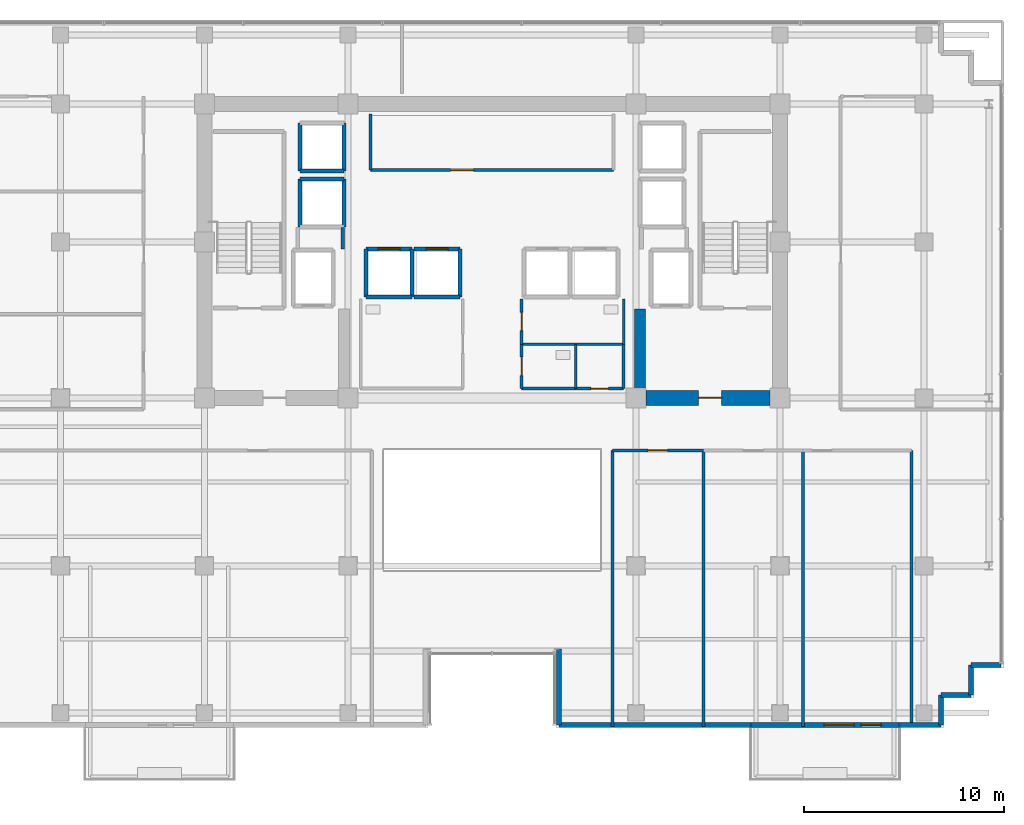
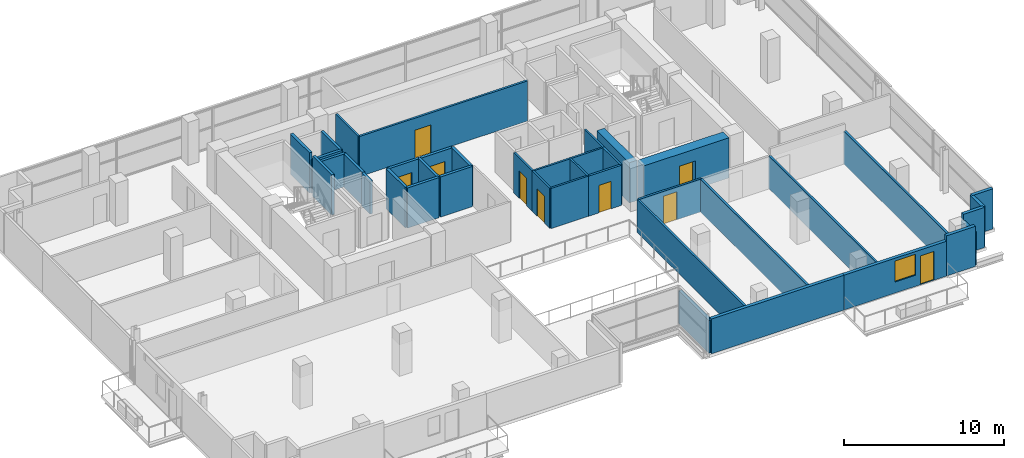
# One storey, part 21 of 28: 39 walls, 9 doors, 1 window, 10 openings.
"""IFC4 building model written with IfcOpenShell, lengths in metres."""

import ifcopenshell
import ifcopenshell.guid

model = None  # the IFC model being written
_history = None  # IfcOwnerHistory: only IFC2X3 demands one
_inside = {}  # id of a spatial element -> (the spatial element, [elements in it])
_under = {}  # id of a project, library or spatial element -> (it, [spatial elements below it])
_declared = {}  # id of a project -> (the project, [libraries it declares])
_typed = {}  # id of a type object -> (the type object, [elements of that type])
_made_of = {}  # id of a material, layer set ... -> (it, [elements and type objects made of it])


def new_model(schema):
    """Start an empty IFC model of exactly this schema.

    Asked for "IFC4X3", IfcOpenShell would pick the latest addendum, in which some entities
    have other attributes; the version numbers below select the first issue.
    IFC2X3 requires an IfcOwnerHistory on every rooted entity: one is made here for all.
    """
    global model, _history
    if schema == "IFC4X3":
        model = ifcopenshell.file(schema_version=(4, 3, 0, 0))
    else:
        model = ifcopenshell.file(schema=schema)
    _inside.clear()
    _under.clear()
    _declared.clear()
    _typed.clear()
    _made_of.clear()
    _history = None
    if model.schema == "IFC2X3":
        org = make("IfcOrganization", Name="unknown")
        user = make(
            "IfcPersonAndOrganization",
            ThePerson=make("IfcPerson", FamilyName="unknown"),
            TheOrganization=org,
        )
        app = make(
            "IfcApplication",
            ApplicationDeveloper=org,
            Version="unknown",
            ApplicationFullName="unknown",
            ApplicationIdentifier="unknown",
        )
        _history = make(
            "IfcOwnerHistory",
            OwningUser=user,
            OwningApplication=app,
            ChangeAction="ADDED",
            CreationDate=0,
        )
    return model


def make(cls, **values):
    """One entity of the class cls with the attributes given. An attribute that is None is left unset."""
    return model.create_entity(
        cls, **{name: value for name, value in values.items() if value is not None}
    )


def rooted(cls, **values):
    """An entity with a GlobalId (a new one), such as an element, a storey or a relation."""
    return make(cls, GlobalId=ifcopenshell.guid.new(), OwnerHistory=_history, **values)


def si_unit(unit_type, name, prefix=None):
    """IfcSIUnit, for example si_unit("LENGTHUNIT", "METRE", prefix="MILLI")."""
    return make("IfcSIUnit", UnitType=unit_type, Prefix=prefix, Name=name)


def assignment(units):
    """IfcUnitAssignment: the units of a project."""
    return None if units is None else make("IfcUnitAssignment", Units=units)


def point(xyz):
    """IfcCartesianPoint."""
    return None if xyz is None else make("IfcCartesianPoint", Coordinates=xyz)


def direction(xyz):
    """IfcDirection."""
    return None if xyz is None else make("IfcDirection", DirectionRatios=xyz)


def frame(location, z_axis=None, x_axis=None):
    """IfcAxis2Placement3D, a coordinate frame: its origin and axes. An axis left out is left unset."""
    return make(
        "IfcAxis2Placement3D",
        Location=point(location),
        Axis=direction(z_axis),
        RefDirection=direction(x_axis),
    )


def frame_2d(location, x_axis=None):
    """IfcAxis2Placement2D, a coordinate frame in the plane: its origin and x axis."""
    return make(
        "IfcAxis2Placement2D", Location=point(location), RefDirection=direction(x_axis)
    )


def origin():
    """The frame at (0, 0, 0) with its axes left unset."""
    return frame((0.0, 0.0, 0.0))


def place(relative_to, where):
    """IfcLocalPlacement: puts the frame where relative to a parent placement (None: the world)."""
    return make(
        "IfcLocalPlacement", PlacementRelTo=relative_to, RelativePlacement=where
    )


def context(
    kind, dimensions, precision=None, world=None, true_north=None, identifier=None
):
    """IfcGeometricRepresentationContext, for example the 3D "Model" context."""
    return make(
        "IfcGeometricRepresentationContext",
        ContextIdentifier=identifier,
        ContextType=kind,
        CoordinateSpaceDimension=dimensions,
        Precision=precision,
        WorldCoordinateSystem=world,
        TrueNorth=true_north,
    )


def subcontext(parent, identifier, kind, view, scale=None):
    """IfcGeometricRepresentationSubContext, for example "Body" below "Model"."""
    return make(
        "IfcGeometricRepresentationSubContext",
        ContextIdentifier=identifier,
        ContextType=kind,
        ParentContext=parent,
        TargetScale=scale,
        TargetView=view,
    )


def project(units=None, contexts=None):
    """IfcProject with its units and contexts."""
    return rooted(
        "IfcProject",
        Name="project",
        RepresentationContexts=contexts,
        UnitsInContext=assignment(units),
    )


def spatial(cls, under=None, at=None, **own):
    """A site, building, storey or space (cls), placed at a placement, below another one or the project."""
    s = rooted(cls, ObjectPlacement=at, **own)
    if under is not None:
        _under.setdefault(under.id(), (under, []))[1].append(s)
    return s


def profile(cls, at=None, kind="AREA", **sizes):
    """A parametric profile (cls). Its sizes go by their IFC names, for example OverallWidth=200.0."""
    return make(cls, ProfileType=kind, Position=at, **sizes)


def rectangle(**sizes):
    """IfcRectangleProfileDef."""
    return profile("IfcRectangleProfileDef", **sizes)


def extrude(swept, where, along, depth):
    """IfcExtrudedAreaSolid: the profile swept, set in the frame where, extruded along a direction by depth."""
    return make(
        "IfcExtrudedAreaSolid",
        SweptArea=swept,
        Position=where,
        ExtrudedDirection=direction(along),
        Depth=depth,
    )


def shape(context_of_items, identifier, shape_type, items):
    """IfcShapeRepresentation: the items that make up one representation, for example the "Body"."""
    return make(
        "IfcShapeRepresentation",
        ContextOfItems=context_of_items,
        RepresentationIdentifier=identifier,
        RepresentationType=shape_type,
        Items=items,
    )


def source(mapping_origin, context_of_items, identifier, shape_type, items):
    """IfcRepresentationMap: a shape defined once, which mapped items show again and again."""
    return make(
        "IfcRepresentationMap",
        MappingOrigin=mapping_origin,
        MappedRepresentation=shape(context_of_items, identifier, shape_type, items),
    )


def transform(
    local_origin,
    x_axis=None,
    y_axis=None,
    z_axis=None,
    scale=None,
    scale2=None,
    scale3=None,
    uniform=True,
):
    """IfcCartesianTransformationOperator3D, or its non-uniform kind. x_axis, y_axis, z_axis: its Axis1, 2, 3."""
    if uniform:
        return make(
            "IfcCartesianTransformationOperator3D",
            Axis1=direction(x_axis),
            Axis2=direction(y_axis),
            LocalOrigin=point(local_origin),
            Scale=scale,
            Axis3=direction(z_axis),
        )
    return make(
        "IfcCartesianTransformationOperator3DnonUniform",
        Axis1=direction(x_axis),
        Axis2=direction(y_axis),
        LocalOrigin=point(local_origin),
        Scale=scale,
        Axis3=direction(z_axis),
        Scale2=scale2,
        Scale3=scale3,
    )


def mapped(mapping_source, mapping_target):
    """IfcMappedItem: shows the shape of a source again, moved by a transform."""
    return make(
        "IfcMappedItem", MappingSource=mapping_source, MappingTarget=mapping_target
    )


def material(Name=None, Category=None):
    """IfcMaterial."""
    return make("IfcMaterial", Name=Name, Category=Category)


def layer(
    of_material, thickness, ventilated=None, Name=None, Category=None, Priority=None
):
    """IfcMaterialLayer: one layer of a wall or slab, of a material (None: an air gap)."""
    return make(
        "IfcMaterialLayer",
        Material=of_material,
        LayerThickness=thickness,
        IsVentilated=ventilated,
        Name=Name,
        Category=Category,
        Priority=Priority,
    )


def layer_set(layers, Name=None):
    """IfcMaterialLayerSet."""
    return make("IfcMaterialLayerSet", MaterialLayers=layers, LayerSetName=Name)


def made_of(thing, what):
    """Note that an element or type object is made of a material, layer set ...; save() writes the relation."""
    if what is not None:
        _made_of.setdefault(what.id(), (what, []))[1].append(thing)
    return thing


def type_object(cls, material=None, **own):
    """A type object (cls), such as IfcWallType, which elements share."""
    return made_of(rooted(cls, **own), material)


def element(
    cls,
    number,
    at=None,
    inside=None,
    cuts=None,
    type_object=None,
    material=None,
    context=None,
    identifier="Body",
    shape_type=None,
    held_by="IfcProductDefinitionShape",
    body=None,
    shapes=None,
    **own,
):
    """One element of the class cls, such as IfcWall. Its Tag is "e" and its number.

    at: its placement. inside: the storey or other place that contains it. cuts: it is an
    opening in that element (IfcRelVoidsElement). A single representation is given by context,
    identifier, shape_type and body (its items); several are given by shapes. held_by: the class
    of the entity that holds the representations. save() writes the other relations.
    """
    e = rooted(cls, Tag="e%d" % number, ObjectPlacement=at, **own)
    if body is not None:
        shapes = [shape(context, identifier, shape_type, body)]
    if shapes is not None:
        e.Representation = make(held_by, Representations=shapes)
    if inside is not None:
        _inside.setdefault(inside.id(), (inside, []))[1].append(e)
    if cuts is not None:
        rooted(
            "IfcRelVoidsElement", RelatingBuildingElement=cuts, RelatedOpeningElement=e
        )
    if type_object is not None:
        _typed.setdefault(type_object.id(), (type_object, []))[1].append(e)
    return made_of(e, material)


def fill(opening, filler):
    """IfcRelFillsElement: the door or window that sits in an opening."""
    return rooted(
        "IfcRelFillsElement",
        RelatingOpeningElement=opening,
        RelatedBuildingElement=filler,
    )


def aggregate(whole, parts):
    """IfcRelAggregates: a whole, such as a stair, and the parts it consists of."""
    return rooted("IfcRelAggregates", RelatingObject=whole, RelatedObjects=parts)


def save(model, path):
    """Write the relations noted so far, then the file.

    IfcRelAggregates (storeys below a building ...), IfcRelContainedInSpatialStructure (elements
    in a storey), IfcRelDefinesByType, IfcRelAssociatesMaterial and IfcRelDeclares: one each for
    every whole, place, type object, material and project.
    """
    for whole, parts in _under.values():
        aggregate(whole, parts)
    for where, things in _inside.values():
        rooted(
            "IfcRelContainedInSpatialStructure",
            RelatedElements=things,
            RelatingStructure=where,
        )
    for kind, things in _typed.values():
        rooted("IfcRelDefinesByType", RelatedObjects=things, RelatingType=kind)
    for what, things in _made_of.values():
        rooted("IfcRelAssociatesMaterial", RelatedObjects=things, RelatingMaterial=what)
    for by, libraries in _declared.values():
        rooted("IfcRelDeclares", RelatingContext=by, RelatedDefinitions=libraries)
    model.write(path)


model = new_model("IFC4")

# Units and contexts
model_context = context("Model", 3, precision=1e-05, world=origin(), true_north=direction((0.0, 1.0)))
body_context = subcontext(model_context, "Body", "Model", "MODEL_VIEW")
ifc_project = project(units=[si_unit("LENGTHUNIT", "METRE"), si_unit("AREAUNIT", "SQUARE_METRE"), si_unit("VOLUMEUNIT", "CUBIC_METRE"), si_unit("PLANEANGLEUNIT", "RADIAN"), si_unit("MASSUNIT", "GRAM", prefix="KILO")], contexts=[model_context])

# Site, building, storey
site_placement = place(None, origin())
site = spatial("IfcSite", under=ifc_project, at=site_placement, CompositionType="ELEMENT")
building_placement = place(site_placement, origin())
building = spatial("IfcBuilding", under=site, at=building_placement, Name="Zarnakvel Exchange Tower", CompositionType="ELEMENT")
storey_placement = place(building_placement, frame((0.0, 0.0, 103.300048828125)))
storey = spatial("IfcBuildingStorey", under=building, at=storey_placement, Name="L28", CompositionType="ELEMENT", Elevation=103.300048828125)

# Wall, opening, door
ifc_material_1 = material(Name="Concrete C60/75", Category="concrete")
ifc_layer_1 = layer(ifc_material_1, 0.75)
ifc_layer_set_1 = layer_set([ifc_layer_1], Name="Concrete C60/75")
wall_type_1 = type_object("IfcWallType", Name="CW-C3", PredefinedType="SHEAR", material=ifc_layer_set_1)
wall_1_placement = place(storey_placement, frame((13.89990234375, -1.199951171875, 0.0), z_axis=(0.0, 0.0, 1.0), x_axis=(-1.0, 0.0, 0.0)))
wall_1 = element("IfcWall", 1, at=wall_1_placement, inside=storey, type_object=wall_type_1, Name="L28 Rear Core Shear Wall SE (CW-C3)", PredefinedType="SHEAR", context=body_context, shape_type="SweptSolid", body=[
    extrude(rectangle(XDim=6.199951171875, YDim=0.75, at=frame_2d((3.10009765625, 0.0))), origin(), (0.0, 0.0, 1.0), 3.074951171875),
])
opening_1_placement = place(wall_1_placement, frame((2.425048828125, 0.0, 0.0)))
opening_1 = element("IfcOpeningElement", 2, at=opening_1_placement, cuts=wall_1, Name="Opening D-L28-04", PredefinedType="OPENING", context=body_context, shape_type="SweptSolid", body=[
    extrude(rectangle(XDim=1.14990234375, YDim=2.14990234375, at=frame_2d((0.574951171875, 1.074951171875))), frame((0.0, 0.385009765625, 0.0), z_axis=(0.0, -1.0, 0.0), x_axis=(1.0, 0.0, 0.0)), (0.0, 0.0, 1.0), 0.77001953125),
])
ifc_material_2 = material(Name="Painted Galvanised Steel S355", Category="steel")
door_type_1 = type_object("IfcDoorType", Name="DT-04", OperationType="NOTDEFINED", PredefinedType="DOOR", material=ifc_material_2)
shared_shape_1 = source(origin(), body_context, "Body", "SweptSolid", [
    extrude(rectangle(XDim=1.14990234375, YDim=2.14990234375, at=frame_2d((0.574951171875, 1.074951171875))), frame((0.0, 0.02490234375, 0.0), z_axis=(0.0, -1.0, 0.0), x_axis=(1.0, 0.0, 0.0)), (0.0, 0.0, 1.0), 0.050048828125),
])
door_1_placement = place(opening_1_placement, origin())
door_1 = element("IfcDoor", 3, at=door_1_placement, inside=storey, type_object=door_type_1, Name="L28 Firefighting Lobby East Door D-L28-04", OperationType="SINGLE_SWING_LEFT", OverallHeight=2.14990234375, OverallWidth=1.14990234375, PredefinedType="DOOR", context=body_context, shape_type="MappedRepresentation", body=[
    mapped(shared_shape_1, transform((0.0, 0.0, 0.0), x_axis=(1.0, 0.0, 0.0), y_axis=(0.0, 1.0, 0.0), z_axis=(0.0, 0.0, 1.0), scale=1.0)),
])
fill(opening_1, door_1)

# Wall
ifc_layer_2 = layer(ifc_material_1, 0.550048828125)
ifc_layer_set_2 = layer_set([ifc_layer_2], Name="Concrete C60/75")
wall_type_2 = type_object("IfcWallType", Name="CW-C4", PredefinedType="SHEAR", material=ifc_layer_set_2)
wall_2_placement = place(storey_placement, frame((7.39990234375, -0.824951171875, 0.0), z_axis=(0.0, 0.0, 1.0), x_axis=(0.0, 1.0, 0.0)))
element("IfcWall", 4, at=wall_2_placement, inside=storey, type_object=wall_type_2, Name="L28 Rear Core Shear Wall IE (CW-C4)", PredefinedType="SHEAR", context=body_context, shape_type="SweptSolid", body=[
    extrude(rectangle(XDim=4.074951171875, YDim=0.550048828125, at=frame_2d((2.03759765625, 0.0))), origin(), (0.0, 0.0, 1.0), 3.074951171875),
])

# Wall, openings, door, window
ifc_material_3 = material(Name="Precast concrete C40/50", Category="concrete")
ifc_layer_3 = layer(ifc_material_3, 0.239990234375)
ifc_layer_set_3 = layer_set([ifc_layer_3], Name="Precast concrete C40/50")
wall_type_3 = type_object("IfcWallType", Name="EW-02", PredefinedType="SOLIDWALL", material=ifc_layer_set_3)
wall_3_placement = place(storey_placement, frame((20.35009765625, -17.56005859375, 0.0), z_axis=(0.0, 0.0, 1.0), x_axis=(-1.0, 0.0, 0.0)))
wall_3 = element("IfcWall", 5, at=wall_3_placement, inside=storey, type_object=wall_type_3, Name="L28 Exterior Precast Spandrel Wall EW-BAL-L28-SE (EW-02)", PredefinedType="SOLIDWALL", context=body_context, shape_type="SweptSolid", body=[
    extrude(rectangle(XDim=7.400146484375, YDim=0.239990234375, at=frame_2d((3.7001953125, 0.0))), origin(), (0.0, 0.0, 1.0), 2.6650390625),
])
opening_2_placement = place(wall_3_placement, frame((0.887939453125, 0.0, 0.0)))
opening_2 = element("IfcOpeningElement", 6, at=opening_2_placement, cuts=wall_3, Name="Opening BD-L28-02", PredefinedType="OPENING", context=body_context, shape_type="SweptSolid", body=[
    extrude(rectangle(XDim=1.0, YDim=2.199951171875, at=frame_2d((0.5, 1.10009765625))), frame((0.0, 0.1298828125, 0.0), z_axis=(0.0, -1.0, 0.0), x_axis=(1.0, 0.0, 0.0)), (0.0, 0.0, 1.0), 0.260009765625),
])
opening_3_placement = place(wall_3_placement, frame((2.238037109375, 0.0, 0.85009765625)))
opening_3 = element("IfcOpeningElement", 7, at=opening_3_placement, cuts=wall_3, Name="Opening WN-03", PredefinedType="OPENING", context=body_context, shape_type="SweptSolid", body=[
    extrude(rectangle(XDim=1.5, YDim=1.60009765625, at=frame_2d((0.75, 0.800048828125))), frame((0.0, 0.1298828125, 0.0), z_axis=(0.0, -1.0, 0.0), x_axis=(1.0, 0.0, 0.0)), (0.0, 0.0, 1.0), 0.260009765625),
])
ifc_material_4 = material(Name="Architectural Bronze Anodised Aluminium", Category="aluminium")
door_type_2 = type_object("IfcDoorType", Name="DT-09", OperationType="NOTDEFINED", PredefinedType="DOOR", material=ifc_material_4)
shared_shape_2 = source(origin(), body_context, "Body", "SweptSolid", [
    extrude(rectangle(XDim=1.0, YDim=2.199951171875, at=frame_2d((0.5, 1.10009765625))), frame((0.0, 0.02490234375, 0.0), z_axis=(0.0, -1.0, 0.0), x_axis=(1.0, 0.0, 0.0)), (0.0, 0.0, 1.0), 0.050048828125),
])
door_2_placement = place(opening_2_placement, origin())
door_2 = element("IfcDoor", 8, at=door_2_placement, inside=storey, type_object=door_type_2, Name="L28 Planted Loggia Balcony Door BD-L28-02", OperationType="SINGLE_SWING_LEFT", OverallHeight=2.199951171875, OverallWidth=1.0, PredefinedType="DOOR", context=body_context, shape_type="MappedRepresentation", body=[
    mapped(shared_shape_2, transform((0.0, 0.0, 0.0), x_axis=(1.0, 0.0, 0.0), y_axis=(0.0, 1.0, 0.0), z_axis=(0.0, 0.0, 1.0), scale=1.0)),
])
fill(opening_2, door_2)
ifc_material_5 = material(Name="Double Low-E Laminated Vision Glass", Category="glass")
window_type = type_object("IfcWindowType", Name="WN-03", PartitioningType="SINGLE_PANEL", PredefinedType="WINDOW", material=ifc_material_5)
shared_shape_3 = source(origin(), body_context, "Body", "SweptSolid", [
    extrude(rectangle(XDim=1.5, YDim=1.60009765625, at=frame_2d((0.75, 0.800048828125))), frame((0.0, 0.030029296875, 0.0), z_axis=(0.0, -1.0, 0.0), x_axis=(1.0, 0.0, 0.0)), (0.0, 0.0, 1.0), 0.06005859375),
])
window_placement = place(opening_3_placement, origin())
window = element("IfcWindow", 9, at=window_placement, inside=storey, type_object=window_type, Name="L28 Loggia Daylight Window (WN-03)", OverallHeight=1.60009765625, OverallWidth=1.5, PartitioningType="SINGLE_PANEL", PredefinedType="WINDOW", context=body_context, shape_type="MappedRepresentation", body=[
    mapped(shared_shape_3, transform((0.0, 0.0, 0.0), x_axis=(1.0, 0.0, 0.0), y_axis=(0.0, 1.0, 0.0), z_axis=(0.0, 0.0, 1.0), scale=1.0)),
])
fill(opening_3, window)

# Walls
for number, where, z_axis, x_axis, name in (
    (10, (23.9599609375, -14.56005859375, 0.0), (0.0, 0.0, 1.0), (1.0, 0.0, 0.0), "L28 Exterior Precast Spandrel Wall EWC-L28-11 (EW-02)"),
    (11, (23.9599609375, -16.06005859375, 0.0), (0.0, 0.0, 1.0), (0.0, 1.0, 0.0), "L28 Exterior Precast Spandrel Wall EWC-L28-12 (EW-02)"),
    (12, (22.4599609375, -16.06005859375, 0.0), (0.0, 0.0, 1.0), (1.0, 0.0, 0.0), "L28 Exterior Precast Spandrel Wall EWC-L28-13 (EW-02)"),
):
    element("IfcWall", number, at=place(storey_placement, frame(where, z_axis=z_axis, x_axis=x_axis)), inside=storey, type_object=wall_type_3, Name=name, PredefinedType="SOLIDWALL", context=body_context, shape_type="SweptSolid", body=[
        extrude(rectangle(XDim=1.5, YDim=0.239990234375, at=frame_2d((0.75, 0.0))), origin(), (0.0, 0.0, 1.0), 3.074951171875),
    ])
wall_4_placement = place(storey_placement, frame((22.4599609375, -17.56005859375, 0.0), z_axis=(0.0, 0.0, 1.0), x_axis=(0.0, 1.0, 0.0)))
element("IfcWall", 13, at=wall_4_placement, inside=storey, type_object=wall_type_3, Name="L28 Exterior Precast Spandrel Wall EWC-L28-14 (EW-02)", PredefinedType="SOLIDWALL", context=body_context, shape_type="SweptSolid", body=[
    extrude(rectangle(XDim=1.5, YDim=0.239990234375, at=frame_2d((0.75, 0.0))), origin(), (0.0, 0.0, 1.0), 2.56494140625),
])
wall_5_placement = place(storey_placement, frame((20.35009765625, -17.56005859375, 0.0), z_axis=(0.0, 0.0, 1.0), x_axis=(1.0, 0.0, 0.0)))
element("IfcWall", 14, at=wall_5_placement, inside=storey, type_object=wall_type_3, Name="L28 Exterior Precast Spandrel Wall EWC-L28-15 (EW-02)", PredefinedType="SOLIDWALL", context=body_context, shape_type="SweptSolid", body=[
    extrude(rectangle(XDim=2.10986328125, YDim=0.239990234375, at=frame_2d((1.054931640625, 0.0))), origin(), (0.0, 0.0, 1.0), 3.074951171875),
])
wall_6_placement = place(storey_placement, frame((3.340087890625, -17.56005859375, 0.0), z_axis=(0.0, 0.0, 1.0), x_axis=(1.0, 0.0, 0.0)))
element("IfcWall", 15, at=wall_6_placement, inside=storey, type_object=wall_type_3, Name="L28 Exterior Precast Spandrel Wall EWC-L28-16 (EW-02)", PredefinedType="SOLIDWALL", context=body_context, shape_type="SweptSolid", body=[
    extrude(rectangle(XDim=9.60986328125, YDim=0.239990234375, at=frame_2d((4.804931640625, 0.0))), origin(), (0.0, 0.0, 1.0), 2.6650390625),
])
wall_7_placement = place(storey_placement, frame((3.340087890625, -13.760009765625, 0.0), z_axis=(0.0, 0.0, 1.0), x_axis=(0.0, -1.0, 0.0)))
element("IfcWall", 16, at=wall_7_placement, inside=storey, type_object=wall_type_3, Name="L28 Exterior Precast Spandrel Wall EWC-L28-17 (EW-02)", PredefinedType="SOLIDWALL", context=body_context, shape_type="SweptSolid", body=[
    extrude(rectangle(XDim=3.800048828125, YDim=0.239990234375, at=frame_2d((1.89990234375, 0.0))), origin(), (0.0, 0.0, 1.0), 2.514892578125),
])

# Wall, opening, door
ifc_material_6 = material(Name="Fire-Rated Gypsum Stud Partition", Category="gypsum")
ifc_layer_4 = layer(ifc_material_6, 0.14990234375)
ifc_layer_set_4 = layer_set([ifc_layer_4], Name="Fire-Rated Gypsum Stud Partition")
wall_type_4 = type_object("IfcWallType", Name="PT-01", PredefinedType="PARTITIONING", material=ifc_layer_set_4)
wall_8_placement = place(storey_placement, frame((6.080078125, 10.199951171875, 0.0), z_axis=(0.0, 0.0, 1.0), x_axis=(-1.0, 0.0, 0.0)))
wall_8 = element("IfcWall", 17, at=wall_8_placement, inside=storey, type_object=wall_type_4, Name="L28 Partition Wall PWALL-L28-011 (PT-01)", PredefinedType="PARTITIONING", context=body_context, shape_type="SweptSolid", body=[
    extrude(rectangle(XDim=12.16015625, YDim=0.14990234375, at=frame_2d((6.080078125, 0.0))), origin(), (0.0, 0.0, 1.0), 3.074951171875),
])
opening_4_placement = place(wall_8_placement, frame((7.0048828125, 0.0, 0.0)))
opening_4 = element("IfcOpeningElement", 18, at=opening_4_placement, cuts=wall_8, Name="Opening D-L28-05", PredefinedType="OPENING", context=body_context, shape_type="SweptSolid", body=[
    extrude(rectangle(XDim=1.14990234375, YDim=2.14990234375, at=frame_2d((0.574951171875, 1.074951171875))), frame((0.0, 0.0849609375, 0.0), z_axis=(0.0, -1.0, 0.0), x_axis=(1.0, 0.0, 0.0)), (0.0, 0.0, 1.0), 0.169921875),
])
door_3_placement = place(opening_4_placement, origin())
door_3 = element("IfcDoor", 19, at=door_3_placement, inside=storey, type_object=door_type_1, Name="L28 Market Data Archive Suite Door D-L28-05", OperationType="SINGLE_SWING_RIGHT", OverallHeight=2.14990234375, OverallWidth=1.14990234375, PredefinedType="DOOR", context=body_context, shape_type="MappedRepresentation", body=[
    mapped(shared_shape_1, transform((0.0, 0.0, 0.0), x_axis=(1.0, 0.0, 0.0), y_axis=(0.0, 1.0, 0.0), z_axis=(0.0, 0.0, 1.0), scale=1.0)),
])
fill(opening_4, door_3)

# Wall
wall_9_placement = place(storey_placement, frame((-6.080078125, 10.199951171875, 0.0), z_axis=(0.0, 0.0, 1.0), x_axis=(0.0, 1.0, 0.0)))
element("IfcWall", 20, at=wall_9_placement, inside=storey, type_object=wall_type_4, Name="L28 Partition Wall PWALL-L28-012 (PT-01)", PredefinedType="PARTITIONING", context=body_context, shape_type="SweptSolid", body=[
    extrude(rectangle(XDim=2.800048828125, YDim=0.14990234375, at=frame_2d((1.39990234375, 0.0))), origin(), (0.0, 0.0, 1.0), 3.074951171875),
])

# Wall, opening, door
wall_10_placement = place(storey_placement, frame((6.580078125, -0.72998046875, 0.0), z_axis=(0.0, 0.0, 1.0), x_axis=(-1.0, 0.0, 0.0)))
wall_10 = element("IfcWall", 21, at=wall_10_placement, inside=storey, type_object=wall_type_4, Name="L28 Partition Wall PWALL-L28-023 (PT-01)", PredefinedType="PARTITIONING", context=body_context, shape_type="SweptSolid", body=[
    extrude(rectangle(XDim=2.400146484375, YDim=0.14990234375, at=frame_2d((1.2001953125, 0.0))), origin(), (0.0, 0.0, 1.0), 3.074951171875),
])
opening_5_placement = place(wall_10_placement, frame((0.760009765625, 0.0, 0.0)))
opening_5 = element("IfcOpeningElement", 22, at=opening_5_placement, cuts=wall_10, Name="Opening D-L28-09", PredefinedType="OPENING", context=body_context, shape_type="SweptSolid", body=[
    extrude(rectangle(XDim=0.8798828125, YDim=2.10009765625, at=frame_2d((0.43994140625, 1.050048828125))), frame((0.0, 0.0849609375, 0.0), z_axis=(0.0, -1.0, 0.0), x_axis=(1.0, 0.0, 0.0)), (0.0, 0.0, 1.0), 0.169921875),
])
door_type_3 = type_object("IfcDoorType", Name="DT-08", OperationType="NOTDEFINED", PredefinedType="DOOR", material=ifc_material_2)
shared_shape_4 = source(origin(), body_context, "Body", "SweptSolid", [
    extrude(rectangle(XDim=0.8798828125, YDim=2.10009765625, at=frame_2d((0.43994140625, 1.050048828125))), frame((0.0, 0.02490234375, 0.0), z_axis=(0.0, -1.0, 0.0), x_axis=(1.0, 0.0, 0.0)), (0.0, 0.0, 1.0), 0.050048828125),
])
door_4_placement = place(opening_5_placement, origin())
door_4 = element("IfcDoor", 23, at=door_4_placement, inside=storey, type_object=door_type_3, Name="L28 Cleaners Store Door D-L28-09", OperationType="SINGLE_SWING_RIGHT", OverallHeight=2.10009765625, OverallWidth=0.8798828125, PredefinedType="DOOR", context=body_context, shape_type="MappedRepresentation", body=[
    mapped(shared_shape_4, transform((0.0, 0.0, 0.0), x_axis=(1.0, 0.0, 0.0), y_axis=(0.0, 1.0, 0.0), z_axis=(0.0, 0.0, 1.0), scale=1.0)),
])
fill(opening_5, door_4)

# Wall
wall_11_placement = place(storey_placement, frame((6.580078125, 1.47998046875, 0.0), z_axis=(0.0, 0.0, 1.0), x_axis=(0.0, -1.0, 0.0)))
element("IfcWall", 24, at=wall_11_placement, inside=storey, type_object=wall_type_4, Name="L28 Partition Wall PWALL-L28-024 (PT-01)", PredefinedType="PARTITIONING", context=body_context, shape_type="SweptSolid", body=[
    extrude(rectangle(XDim=2.2099609375, YDim=0.14990234375, at=frame_2d((1.10498046875, 0.0))), origin(), (0.0, 0.0, 1.0), 3.074951171875),
])

# Wall, opening, door
wall_12_placement = place(storey_placement, frame((6.02001953125, -3.830078125, 0.0), z_axis=(0.0, 0.0, 1.0), x_axis=(1.0, 0.0, 0.0)))
wall_12 = element("IfcWall", 25, at=wall_12_placement, inside=storey, type_object=wall_type_4, Name="L28 Partition Wall PWALL-L28-030 (PT-01)", PredefinedType="PARTITIONING", context=body_context, shape_type="SweptSolid", body=[
    extrude(rectangle(XDim=4.54833984375, YDim=0.14990234375, at=frame_2d((2.274169921875, 0.0))), origin(), (0.0, 0.0, 1.0), 2.514892578125),
])
opening_6_placement = place(wall_12_placement, frame((1.783935546875, 0.0, 0.0)))
opening_6 = element("IfcOpeningElement", 26, at=opening_6_placement, cuts=wall_12, Name="Opening D-L28-11", PredefinedType="OPENING", context=body_context, shape_type="SweptSolid", body=[
    extrude(rectangle(XDim=0.97998046875, YDim=2.14990234375, at=frame_2d((0.489990234375, 1.074951171875))), frame((0.0, 0.0849609375, 0.0), z_axis=(0.0, -1.0, 0.0), x_axis=(1.0, 0.0, 0.0)), (0.0, 0.0, 1.0), 0.169921875),
])
ifc_material_7 = material(Name="Timber Acoustic Veneer", Category="wood")
door_type_4 = type_object("IfcDoorType", Name="DT-05", OperationType="NOTDEFINED", PredefinedType="DOOR", material=ifc_material_7)
shared_shape_5 = source(origin(), body_context, "Body", "SweptSolid", [
    extrude(rectangle(XDim=0.97998046875, YDim=2.14990234375, at=frame_2d((0.489990234375, 1.074951171875))), frame((0.0, 0.02490234375, 0.0), z_axis=(0.0, -1.0, 0.0), x_axis=(1.0, 0.0, 0.0)), (0.0, 0.0, 1.0), 0.050048828125),
])
door_5_placement = place(opening_6_placement, origin())
door_5 = element("IfcDoor", 27, at=door_5_placement, inside=storey, type_object=door_type_4, Name="L28 Conference Room Door D-L28-11", OperationType="SINGLE_SWING_RIGHT", OverallHeight=2.14990234375, OverallWidth=0.97998046875, PredefinedType="DOOR", context=body_context, shape_type="MappedRepresentation", body=[
    mapped(shared_shape_5, transform((0.0, 0.0, 0.0), x_axis=(1.0, 0.0, 0.0), y_axis=(0.0, 1.0, 0.0), z_axis=(0.0, 0.0, 1.0), scale=1.0)),
])
fill(opening_6, door_5)

# Walls
for number, where, z_axis, x_axis, name in (
    (28, (6.02001953125, -17.6298828125, 0.0), (0.0, 0.0, 1.0), (0.0, 1.0, 0.0), "L28 Partition Wall PWALL-L28-031 (PT-01)"),
    (29, (10.568359375, -3.830078125, 0.0), (0.0, 0.0, 1.0), (0.0, -1.0, 0.0), "L28 Partition Wall PWALL-L28-032 (PT-01)"),
    (30, (15.5556640625, -3.830078125, 0.0), (0.0, 0.0, 1.0), (0.0, -1.0, 0.0), "L28 Partition Wall PWALL-L28-035 (PT-01)"),
    (31, (20.981689453125, -3.830078125, 0.0), (0.0, 0.0, 1.0), (0.0, -1.0, 0.0), "L28 Partition Wall PWALL-L28-038 (PT-01)"),
):
    element("IfcWall", number, at=place(storey_placement, frame(where, z_axis=z_axis, x_axis=x_axis)), inside=storey, type_object=wall_type_4, Name=name, PredefinedType="PARTITIONING", context=body_context, shape_type="SweptSolid", body=[
        extrude(rectangle(XDim=13.7998046875, YDim=0.14990234375, at=frame_2d((6.89990234375, 0.0))), origin(), (0.0, 0.0, 1.0), 2.514892578125),
    ])
ifc_layer_5 = layer(ifc_material_6, 0.179931640625)
ifc_layer_set_5 = layer_set([ifc_layer_5], Name="Fire-Rated Gypsum Stud Partition")
wall_type_5 = type_object("IfcWallType", Name="PT-02", PredefinedType="PARTITIONING", material=ifc_layer_set_5)
wall_13_placement = place(storey_placement, frame((-7.469970703125, 7.330078125, 0.0), z_axis=(0.0, 0.0, 1.0), x_axis=(0.0, -1.0, 0.0)))
element("IfcWall", 32, at=wall_13_placement, inside=storey, type_object=wall_type_5, Name="L28 Partition Wall PWALL-L28-008 (PT-02)", PredefinedType="PARTITIONING", context=body_context, shape_type="SweptSolid", body=[
    extrude(rectangle(XDim=1.090087890625, YDim=0.179931640625, at=frame_2d((0.544921875, 0.0))), origin(), (0.0, 0.0, 1.0), 2.514892578125),
])
ifc_material_8 = material(Name="Moisture-Resistant Tile-Faced Partition", Category="gypsum")
ifc_layer_6 = layer(ifc_material_8, 0.135009765625)
ifc_layer_set_6 = layer_set([ifc_layer_6], Name="Moisture-Resistant Tile-Faced Partition")
wall_type_6 = type_object("IfcWallType", Name="PT-03", PredefinedType="PARTITIONING", material=ifc_layer_set_6)
wall_14_placement = place(storey_placement, frame((6.580078125, 1.47998046875, 0.0), z_axis=(0.0, 0.0, 1.0), x_axis=(-1.0, 0.0, 0.0)))
element("IfcWall", 33, at=wall_14_placement, inside=storey, type_object=wall_type_6, Name="L28 Partition Wall PWALL-L28-017 (PT-03)", PredefinedType="PARTITIONING", context=body_context, shape_type="SweptSolid", body=[
    extrude(rectangle(XDim=5.110107421875, YDim=0.135009765625, at=frame_2d((2.55517578125, 0.0))), origin(), (0.0, 0.0, 1.0), 3.074951171875),
])

# Wall, opening, door
wall_15_placement = place(storey_placement, frame((1.469970703125, 1.47998046875, 0.0), z_axis=(0.0, 0.0, 1.0), x_axis=(0.0, 1.0, 0.0)))
wall_15 = element("IfcWall", 34, at=wall_15_placement, inside=storey, type_object=wall_type_6, Name="L28 Partition Wall PWALL-L28-018 (PT-03)", PredefinedType="PARTITIONING", context=body_context, shape_type="SweptSolid", body=[
    extrude(rectangle(XDim=2.280029296875, YDim=0.135009765625, at=frame_2d((1.14013671875, 0.0))), origin(), (0.0, 0.0, 1.0), 3.074951171875),
])
opening_7_placement = place(wall_15_placement, frame((0.679931640625, 0.0, 0.0)))
opening_7 = element("IfcOpeningElement", 35, at=opening_7_placement, cuts=wall_15, Name="Opening D-L28-07", PredefinedType="OPENING", context=body_context, shape_type="SweptSolid", body=[
    extrude(rectangle(XDim=0.919921875, YDim=2.10009765625, at=frame_2d((0.4599609375, 1.050048828125))), frame((0.0, 0.077392578125, 0.0), z_axis=(0.0, -1.0, 0.0), x_axis=(1.0, 0.0, 0.0)), (0.0, 0.0, 1.0), 0.155029296875),
])
ifc_material_9 = material(Name="Moisture-Resistant Laminate Timber", Category="wood")
door_type_5 = type_object("IfcDoorType", Name="DT-07", OperationType="NOTDEFINED", PredefinedType="DOOR", material=ifc_material_9)
shared_shape_6 = source(origin(), body_context, "Body", "SweptSolid", [
    extrude(rectangle(XDim=0.919921875, YDim=2.10009765625, at=frame_2d((0.4599609375, 1.050048828125))), frame((0.0, 0.02490234375, 0.0), z_axis=(0.0, -1.0, 0.0), x_axis=(1.0, 0.0, 0.0)), (0.0, 0.0, 1.0), 0.050048828125),
])
door_6_placement = place(opening_7_placement, origin())
door_6 = element("IfcDoor", 36, at=door_6_placement, inside=storey, type_object=door_type_5, Name="L28 Female Toilet Door D-L28-07", OperationType="SINGLE_SWING_RIGHT", OverallHeight=2.10009765625, OverallWidth=0.919921875, PredefinedType="DOOR", context=body_context, shape_type="MappedRepresentation", body=[
    mapped(shared_shape_6, transform((0.0, 0.0, 0.0), x_axis=(1.0, 0.0, 0.0), y_axis=(0.0, 1.0, 0.0), z_axis=(0.0, 0.0, 1.0), scale=1.0)),
])
fill(opening_7, door_6)

# Walls
wall_16_placement = place(storey_placement, frame((6.580078125, 3.760009765625, 0.0), z_axis=(0.0, 0.0, 1.0), x_axis=(0.0, -1.0, 0.0)))
element("IfcWall", 37, at=wall_16_placement, inside=storey, type_object=wall_type_6, Name="L28 Partition Wall PWALL-L28-019 (PT-03)", PredefinedType="PARTITIONING", context=body_context, shape_type="SweptSolid", body=[
    extrude(rectangle(XDim=2.280029296875, YDim=0.135009765625, at=frame_2d((1.14013671875, 0.0))), origin(), (0.0, 0.0, 1.0), 3.074951171875),
])
wall_17_placement = place(storey_placement, frame((4.179931640625, -0.72998046875, 0.0), z_axis=(0.0, 0.0, 1.0), x_axis=(-1.0, 0.0, 0.0)))
element("IfcWall", 38, at=wall_17_placement, inside=storey, type_object=wall_type_6, Name="L28 Partition Wall PWALL-L28-020 (PT-03)", PredefinedType="PARTITIONING", context=body_context, shape_type="SweptSolid", body=[
    extrude(rectangle(XDim=2.7099609375, YDim=0.135009765625, at=frame_2d((1.35498046875, 0.0))), origin(), (0.0, 0.0, 1.0), 3.074951171875),
])

# Wall, opening, door
wall_18_placement = place(storey_placement, frame((1.469970703125, -0.72998046875, 0.0), z_axis=(0.0, 0.0, 1.0), x_axis=(0.0, 1.0, 0.0)))
wall_18 = element("IfcWall", 39, at=wall_18_placement, inside=storey, type_object=wall_type_6, Name="L28 Partition Wall PWALL-L28-021 (PT-03)", PredefinedType="PARTITIONING", context=body_context, shape_type="SweptSolid", body=[
    extrude(rectangle(XDim=2.2099609375, YDim=0.135009765625, at=frame_2d((1.10498046875, 0.0))), origin(), (0.0, 0.0, 1.0), 3.074951171875),
])
opening_8_placement = place(wall_18_placement, frame((0.64990234375, 0.0, 0.0)))
opening_8 = element("IfcOpeningElement", 40, at=opening_8_placement, cuts=wall_18, Name="Opening D-L28-08", PredefinedType="OPENING", context=body_context, shape_type="SweptSolid", body=[
    extrude(rectangle(XDim=0.919921875, YDim=2.10009765625, at=frame_2d((0.4599609375, 1.050048828125))), frame((0.0, 0.077392578125, 0.0), z_axis=(0.0, -1.0, 0.0), x_axis=(1.0, 0.0, 0.0)), (0.0, 0.0, 1.0), 0.155029296875),
])
door_7_placement = place(opening_8_placement, origin())
door_7 = element("IfcDoor", 41, at=door_7_placement, inside=storey, type_object=door_type_5, Name="L28 Accessible Toilet Door D-L28-08", OperationType="SINGLE_SWING_LEFT", OverallHeight=2.10009765625, OverallWidth=0.919921875, PredefinedType="DOOR", context=body_context, shape_type="MappedRepresentation", body=[
    mapped(shared_shape_6, transform((0.0, 0.0, 0.0), x_axis=(1.0, 0.0, 0.0), y_axis=(0.0, 1.0, 0.0), z_axis=(0.0, 0.0, 1.0), scale=1.0)),
])
fill(opening_8, door_7)

# Walls
wall_19_placement = place(storey_placement, frame((4.179931640625, 1.47998046875, 0.0), z_axis=(0.0, 0.0, 1.0), x_axis=(0.0, -1.0, 0.0)))
element("IfcWall", 42, at=wall_19_placement, inside=storey, type_object=wall_type_6, Name="L28 Partition Wall PWALL-L28-022 (PT-03)", PredefinedType="PARTITIONING", context=body_context, shape_type="SweptSolid", body=[
    extrude(rectangle(XDim=2.2099609375, YDim=0.135009765625, at=frame_2d((1.10498046875, 0.0))), origin(), (0.0, 0.0, 1.0), 3.074951171875),
])
ifc_material_10 = material(Name="Concrete C40/50", Category="concrete")
ifc_layer_7 = layer(ifc_material_10, 0.199951171875)
ifc_layer_set_7 = layer_set([ifc_layer_7], Name="Concrete C40/50")
wall_type_7 = type_object("IfcWallType", Name="SW-01", PredefinedType="SOLIDWALL", material=ifc_layer_set_7)
wall_20_placement = place(storey_placement, frame((-4.0, 3.85009765625, 0.0), z_axis=(0.0, 0.0, 1.0), x_axis=(-1.0, 0.0, 0.0)))
element("IfcWall", 43, at=wall_20_placement, inside=storey, type_object=wall_type_7, Name="L28 PL-05 Hoistway Wall South", PredefinedType="SOLIDWALL", context=body_context, shape_type="SweptSolid", body=[
    extrude(rectangle(XDim=2.300048828125, YDim=0.199951171875, at=frame_2d((1.14990234375, 0.0))), origin(), (0.0, 0.0, 1.0), 3.074951171875),
])

# Wall, opening, door
wall_21_placement = place(storey_placement, frame((-6.300048828125, 6.25, 0.0), z_axis=(0.0, 0.0, 1.0), x_axis=(1.0, 0.0, 0.0)))
wall_21 = element("IfcWall", 44, at=wall_21_placement, inside=storey, type_object=wall_type_7, Name="L28 PL-05 Hoistway Wall North", PredefinedType="SOLIDWALL", context=body_context, shape_type="SweptSolid", body=[
    extrude(rectangle(XDim=2.300048828125, YDim=0.199951171875, at=frame_2d((1.14990234375, 0.0))), origin(), (0.0, 0.0, 1.0), 3.074951171875),
])
opening_9_placement = place(wall_21_placement, frame((0.60009765625, 0.0, 0.0)))
opening_9 = element("IfcOpeningElement", 45, at=opening_9_placement, cuts=wall_21, Name="Opening LD-PL-05-L28", PredefinedType="OPENING", context=body_context, shape_type="SweptSolid", body=[
    extrude(rectangle(XDim=1.10009765625, YDim=2.199951171875, at=frame_2d((0.550048828125, 1.10009765625))), frame((0.0, 0.10986328125, 0.0), z_axis=(0.0, -1.0, 0.0), x_axis=(1.0, 0.0, 0.0)), (0.0, 0.0, 1.0), 0.219970703125),
])
door_type_6 = type_object("IfcDoorType", Name="LDT-02", OperationType="NOTDEFINED", PredefinedType="DOOR", material=ifc_material_4)
shared_shape_7 = source(origin(), body_context, "Body", "SweptSolid", [
    extrude(rectangle(XDim=1.10009765625, YDim=2.199951171875, at=frame_2d((0.550048828125, 1.10009765625))), frame((0.0, 0.02490234375, 0.0), z_axis=(0.0, -1.0, 0.0), x_axis=(1.0, 0.0, 0.0)), (0.0, 0.0, 1.0), 0.050048828125),
])
door_8_placement = place(opening_9_placement, origin())
door_8 = element("IfcDoor", 46, at=door_8_placement, inside=storey, type_object=door_type_6, Name="L28 PL-05 Lift Landing Door LD-PL-05-L28", OperationType="DOUBLE_DOOR_SLIDING", OverallHeight=2.199951171875, OverallWidth=1.10009765625, PredefinedType="DOOR", context=body_context, shape_type="MappedRepresentation", body=[
    mapped(shared_shape_7, transform((0.0, 0.0, 0.0), x_axis=(1.0, 0.0, 0.0), y_axis=(0.0, 1.0, 0.0), z_axis=(0.0, 0.0, 1.0), scale=1.0)),
])
fill(opening_9, door_8)

# Walls
for number, where, z_axis, x_axis, name in (
    (47, (-6.300048828125, 3.85009765625, 0.0), (0.0, 0.0, 1.0), (0.0, 1.0, 0.0), "L28 PL-05 Hoistway Wall West"),
    (48, (-4.0, 6.25, 0.0), (0.0, 0.0, 1.0), (0.0, -1.0, 0.0), "L28 PL-05 Hoistway Wall East"),
):
    element("IfcWall", number, at=place(storey_placement, frame(where, z_axis=z_axis, x_axis=x_axis)), inside=storey, type_object=wall_type_7, Name=name, PredefinedType="SOLIDWALL", context=body_context, shape_type="SweptSolid", body=[
        extrude(rectangle(XDim=2.39990234375, YDim=0.199951171875, at=frame_2d((1.199951171875, 0.0))), origin(), (0.0, 0.0, 1.0), 3.074951171875),
    ])
wall_22_placement = place(storey_placement, frame((-1.60009765625, 3.85009765625, 0.0), z_axis=(0.0, 0.0, 1.0), x_axis=(-1.0, 0.0, 0.0)))
element("IfcWall", 49, at=wall_22_placement, inside=storey, type_object=wall_type_7, Name="L28 PL-06 Hoistway Wall South", PredefinedType="SOLIDWALL", context=body_context, shape_type="SweptSolid", body=[
    extrude(rectangle(XDim=2.2998046875, YDim=0.199951171875, at=frame_2d((1.14990234375, 0.0))), origin(), (0.0, 0.0, 1.0), 3.074951171875),
])

# Wall, opening, door
wall_23_placement = place(storey_placement, frame((-3.89990234375, 6.25, 0.0), z_axis=(0.0, 0.0, 1.0), x_axis=(1.0, 0.0, 0.0)))
wall_23 = element("IfcWall", 50, at=wall_23_placement, inside=storey, type_object=wall_type_7, Name="L28 PL-06 Hoistway Wall North", PredefinedType="SOLIDWALL", context=body_context, shape_type="SweptSolid", body=[
    extrude(rectangle(XDim=2.2998046875, YDim=0.199951171875, at=frame_2d((1.14990234375, 0.0))), origin(), (0.0, 0.0, 1.0), 3.074951171875),
])
opening_10_placement = place(wall_23_placement, frame((0.60009765625, 0.0, 0.0)))
opening_10 = element("IfcOpeningElement", 51, at=opening_10_placement, cuts=wall_23, Name="Opening LD-PL-06-L28", PredefinedType="OPENING", context=body_context, shape_type="SweptSolid", body=[
    extrude(rectangle(XDim=1.10009765625, YDim=2.199951171875, at=frame_2d((0.550048828125, 1.10009765625))), frame((0.0, 0.10986328125, 0.0), z_axis=(0.0, -1.0, 0.0), x_axis=(1.0, 0.0, 0.0)), (0.0, 0.0, 1.0), 0.219970703125),
])
door_9_placement = place(opening_10_placement, origin())
door_9 = element("IfcDoor", 52, at=door_9_placement, inside=storey, type_object=door_type_6, Name="L28 PL-06 Lift Landing Door LD-PL-06-L28", OperationType="DOUBLE_DOOR_SLIDING", OverallHeight=2.199951171875, OverallWidth=1.10009765625, PredefinedType="DOOR", context=body_context, shape_type="MappedRepresentation", body=[
    mapped(shared_shape_7, transform((0.0, 0.0, 0.0), x_axis=(1.0, 0.0, 0.0), y_axis=(0.0, 1.0, 0.0), z_axis=(0.0, 0.0, 1.0), scale=1.0)),
])
fill(opening_10, door_9)

# Walls
wall_24_placement = place(storey_placement, frame((-1.60009765625, 6.25, 0.0), z_axis=(0.0, 0.0, 1.0), x_axis=(0.0, -1.0, 0.0)))
element("IfcWall", 53, at=wall_24_placement, inside=storey, type_object=wall_type_7, Name="L28 PL-06 Hoistway Wall East", PredefinedType="SOLIDWALL", context=body_context, shape_type="SweptSolid", body=[
    extrude(rectangle(XDim=2.39990234375, YDim=0.199951171875, at=frame_2d((1.199951171875, 0.0))), origin(), (0.0, 0.0, 1.0), 3.074951171875),
])
wall_25_placement = place(storey_placement, frame((-9.60009765625, 9.75, 0.0), z_axis=(0.0, 0.0, 1.0), x_axis=(1.0, 0.0, 0.0)))
element("IfcWall", 54, at=wall_25_placement, inside=storey, type_object=wall_type_7, Name="L28 PL-09 Hoistway Wall North", PredefinedType="SOLIDWALL", context=body_context, shape_type="SweptSolid", body=[
    extrude(rectangle(XDim=2.2001953125, YDim=0.199951171875, at=frame_2d((1.10009765625, 0.0))), origin(), (0.0, 0.0, 1.0), 2.514892578125),
])
wall_26_placement = place(storey_placement, frame((-9.60009765625, 7.35009765625, 0.0), z_axis=(0.0, 0.0, 1.0), x_axis=(0.0, 1.0, 0.0)))
element("IfcWall", 55, at=wall_26_placement, inside=storey, type_object=wall_type_7, Name="L28 PL-09 Hoistway Wall West", PredefinedType="SOLIDWALL", context=body_context, shape_type="SweptSolid", body=[
    extrude(rectangle(XDim=2.39990234375, YDim=0.199951171875, at=frame_2d((1.199951171875, 0.0))), origin(), (0.0, 0.0, 1.0), 3.074951171875),
])
wall_27_placement = place(storey_placement, frame((-7.39990234375, 9.75, 0.0), z_axis=(0.0, 0.0, 1.0), x_axis=(0.0, -1.0, 0.0)))
element("IfcWall", 56, at=wall_27_placement, inside=storey, type_object=wall_type_7, Name="L28 PL-09 Hoistway Wall East", PredefinedType="SOLIDWALL", context=body_context, shape_type="SweptSolid", body=[
    extrude(rectangle(XDim=2.39990234375, YDim=0.199951171875, at=frame_2d((1.199951171875, 0.0))), origin(), (0.0, 0.0, 1.0), 2.514892578125),
])
wall_28_placement = place(storey_placement, frame((-7.39990234375, 10.14990234375, 0.0), z_axis=(0.0, 0.0, 1.0), x_axis=(-1.0, 0.0, 0.0)))
element("IfcWall", 57, at=wall_28_placement, inside=storey, type_object=wall_type_7, Name="L28 PL-10 Hoistway Wall South", PredefinedType="SOLIDWALL", context=body_context, shape_type="SweptSolid", body=[
    extrude(rectangle(XDim=2.2001953125, YDim=0.199951171875, at=frame_2d((1.10009765625, 0.0))), origin(), (0.0, 0.0, 1.0), 2.514892578125),
])
wall_29_placement = place(storey_placement, frame((-9.60009765625, 10.14990234375, 0.0), z_axis=(0.0, 0.0, 1.0), x_axis=(0.0, 1.0, 0.0)))
element("IfcWall", 58, at=wall_29_placement, inside=storey, type_object=wall_type_7, Name="L28 PL-10 Hoistway Wall West", PredefinedType="SOLIDWALL", context=body_context, shape_type="SweptSolid", body=[
    extrude(rectangle(XDim=2.400146484375, YDim=0.199951171875, at=frame_2d((1.2001953125, 0.0))), origin(), (0.0, 0.0, 1.0), 3.074951171875),
])
wall_30_placement = place(storey_placement, frame((-7.39990234375, 12.550048828125, 0.0), z_axis=(0.0, 0.0, 1.0), x_axis=(0.0, -1.0, 0.0)))
element("IfcWall", 59, at=wall_30_placement, inside=storey, type_object=wall_type_7, Name="L28 PL-10 Hoistway Wall East", PredefinedType="SOLIDWALL", context=body_context, shape_type="SweptSolid", body=[
    extrude(rectangle(XDim=2.400146484375, YDim=0.199951171875, at=frame_2d((1.2001953125, 0.0))), origin(), (0.0, 0.0, 1.0), 2.514892578125),
])

save(model, "model.ifc")
